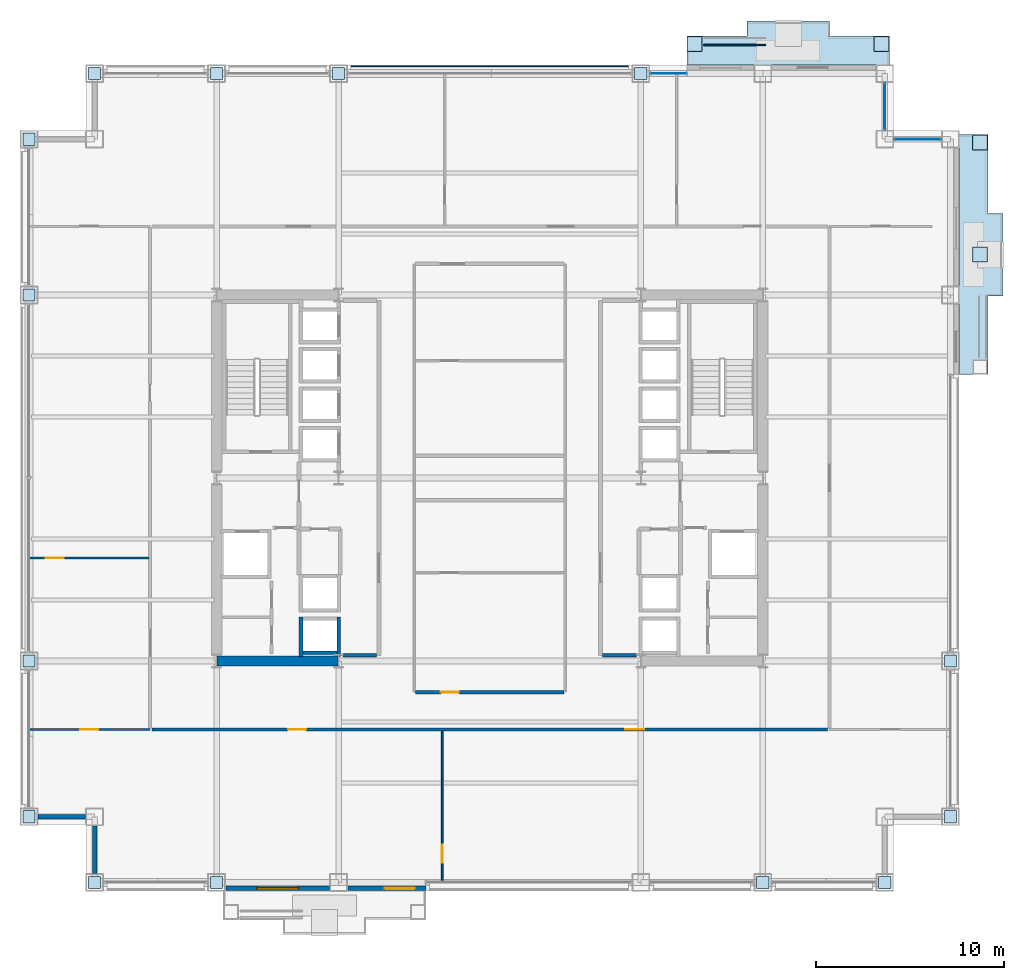
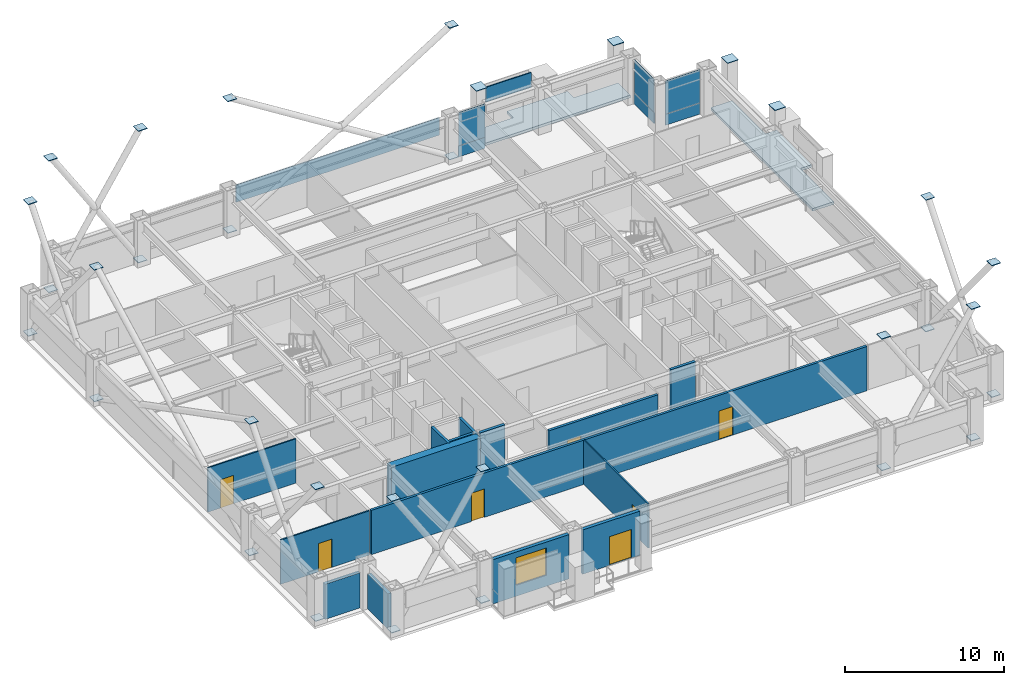
# One storey, part 26 of 33: 40 plates, 15 walls, 7 doors, 2 slabs, 1 window, 8 openings, 3 elements without a shape of their own.
"""IFC4 building model written with IfcOpenShell, lengths in metres."""

import ifcopenshell
import ifcopenshell.guid

model = None  # the IFC model being written
_history = None  # IfcOwnerHistory: only IFC2X3 demands one
_inside = {}  # id of a spatial element -> (the spatial element, [elements in it])
_under = {}  # id of a project, library or spatial element -> (it, [spatial elements below it])
_declared = {}  # id of a project -> (the project, [libraries it declares])
_typed = {}  # id of a type object -> (the type object, [elements of that type])
_made_of = {}  # id of a material, layer set ... -> (it, [elements and type objects made of it])


def new_model(schema):
    """Start an empty IFC model of exactly this schema.

    Asked for "IFC4X3", IfcOpenShell would pick the latest addendum, in which some entities
    have other attributes; the version numbers below select the first issue.
    IFC2X3 requires an IfcOwnerHistory on every rooted entity: one is made here for all.
    """
    global model, _history
    if schema == "IFC4X3":
        model = ifcopenshell.file(schema_version=(4, 3, 0, 0))
    else:
        model = ifcopenshell.file(schema=schema)
    _inside.clear()
    _under.clear()
    _declared.clear()
    _typed.clear()
    _made_of.clear()
    _history = None
    if model.schema == "IFC2X3":
        org = make("IfcOrganization", Name="unknown")
        user = make(
            "IfcPersonAndOrganization",
            ThePerson=make("IfcPerson", FamilyName="unknown"),
            TheOrganization=org,
        )
        app = make(
            "IfcApplication",
            ApplicationDeveloper=org,
            Version="unknown",
            ApplicationFullName="unknown",
            ApplicationIdentifier="unknown",
        )
        _history = make(
            "IfcOwnerHistory",
            OwningUser=user,
            OwningApplication=app,
            ChangeAction="ADDED",
            CreationDate=0,
        )
    return model


def make(cls, **values):
    """One entity of the class cls with the attributes given. An attribute that is None is left unset."""
    return model.create_entity(
        cls, **{name: value for name, value in values.items() if value is not None}
    )


def rooted(cls, **values):
    """An entity with a GlobalId (a new one), such as an element, a storey or a relation."""
    return make(cls, GlobalId=ifcopenshell.guid.new(), OwnerHistory=_history, **values)


def si_unit(unit_type, name, prefix=None):
    """IfcSIUnit, for example si_unit("LENGTHUNIT", "METRE", prefix="MILLI")."""
    return make("IfcSIUnit", UnitType=unit_type, Prefix=prefix, Name=name)


def assignment(units):
    """IfcUnitAssignment: the units of a project."""
    return None if units is None else make("IfcUnitAssignment", Units=units)


def point(xyz):
    """IfcCartesianPoint."""
    return None if xyz is None else make("IfcCartesianPoint", Coordinates=xyz)


def direction(xyz):
    """IfcDirection."""
    return None if xyz is None else make("IfcDirection", DirectionRatios=xyz)


def frame(location, z_axis=None, x_axis=None):
    """IfcAxis2Placement3D, a coordinate frame: its origin and axes. An axis left out is left unset."""
    return make(
        "IfcAxis2Placement3D",
        Location=point(location),
        Axis=direction(z_axis),
        RefDirection=direction(x_axis),
    )


def frame_2d(location, x_axis=None):
    """IfcAxis2Placement2D, a coordinate frame in the plane: its origin and x axis."""
    return make(
        "IfcAxis2Placement2D", Location=point(location), RefDirection=direction(x_axis)
    )


def origin():
    """The frame at (0, 0, 0) with its axes left unset."""
    return frame((0.0, 0.0, 0.0))


def origin_2d():
    """The frame at (0, 0) in the plane with its x axis left unset."""
    return frame_2d((0.0, 0.0))


def place(relative_to, where):
    """IfcLocalPlacement: puts the frame where relative to a parent placement (None: the world)."""
    return make(
        "IfcLocalPlacement", PlacementRelTo=relative_to, RelativePlacement=where
    )


def context(
    kind, dimensions, precision=None, world=None, true_north=None, identifier=None
):
    """IfcGeometricRepresentationContext, for example the 3D "Model" context."""
    return make(
        "IfcGeometricRepresentationContext",
        ContextIdentifier=identifier,
        ContextType=kind,
        CoordinateSpaceDimension=dimensions,
        Precision=precision,
        WorldCoordinateSystem=world,
        TrueNorth=true_north,
    )


def subcontext(parent, identifier, kind, view, scale=None):
    """IfcGeometricRepresentationSubContext, for example "Body" below "Model"."""
    return make(
        "IfcGeometricRepresentationSubContext",
        ContextIdentifier=identifier,
        ContextType=kind,
        ParentContext=parent,
        TargetScale=scale,
        TargetView=view,
    )


def project(units=None, contexts=None):
    """IfcProject with its units and contexts."""
    return rooted(
        "IfcProject",
        Name="project",
        RepresentationContexts=contexts,
        UnitsInContext=assignment(units),
    )


def spatial(cls, under=None, at=None, **own):
    """A site, building, storey or space (cls), placed at a placement, below another one or the project."""
    s = rooted(cls, ObjectPlacement=at, **own)
    if under is not None:
        _under.setdefault(under.id(), (under, []))[1].append(s)
    return s


def polyline(points):
    """IfcPolyline through the points."""
    return make("IfcPolyline", Points=[point(p) for p in points])


def profile(cls, at=None, kind="AREA", **sizes):
    """A parametric profile (cls). Its sizes go by their IFC names, for example OverallWidth=200.0."""
    return make(cls, ProfileType=kind, Position=at, **sizes)


def rectangle(**sizes):
    """IfcRectangleProfileDef."""
    return profile("IfcRectangleProfileDef", **sizes)


def outline(outer, holes=None, kind="AREA"):
    """IfcArbitraryClosedProfileDef: a profile drawn as a closed curve; with holes, ...WithVoids."""
    if holes is None:
        return make("IfcArbitraryClosedProfileDef", ProfileType=kind, OuterCurve=outer)
    return make(
        "IfcArbitraryProfileDefWithVoids",
        ProfileType=kind,
        OuterCurve=outer,
        InnerCurves=holes,
    )


def extrude(swept, where, along, depth):
    """IfcExtrudedAreaSolid: the profile swept, set in the frame where, extruded along a direction by depth."""
    return make(
        "IfcExtrudedAreaSolid",
        SweptArea=swept,
        Position=where,
        ExtrudedDirection=direction(along),
        Depth=depth,
    )


def shape(context_of_items, identifier, shape_type, items):
    """IfcShapeRepresentation: the items that make up one representation, for example the "Body"."""
    return make(
        "IfcShapeRepresentation",
        ContextOfItems=context_of_items,
        RepresentationIdentifier=identifier,
        RepresentationType=shape_type,
        Items=items,
    )


def material(Name=None, Category=None):
    """IfcMaterial."""
    return make("IfcMaterial", Name=Name, Category=Category)


def layer(
    of_material, thickness, ventilated=None, Name=None, Category=None, Priority=None
):
    """IfcMaterialLayer: one layer of a wall or slab, of a material (None: an air gap)."""
    return make(
        "IfcMaterialLayer",
        Material=of_material,
        LayerThickness=thickness,
        IsVentilated=ventilated,
        Name=Name,
        Category=Category,
        Priority=Priority,
    )


def layer_set(layers, Name=None):
    """IfcMaterialLayerSet."""
    return make("IfcMaterialLayerSet", MaterialLayers=layers, LayerSetName=Name)


def made_of(thing, what):
    """Note that an element or type object is made of a material, layer set ...; save() writes the relation."""
    if what is not None:
        _made_of.setdefault(what.id(), (what, []))[1].append(thing)
    return thing


def type_object(cls, material=None, **own):
    """A type object (cls), such as IfcWallType, which elements share."""
    return made_of(rooted(cls, **own), material)


def element(
    cls,
    number,
    at=None,
    inside=None,
    cuts=None,
    type_object=None,
    material=None,
    context=None,
    identifier="Body",
    shape_type=None,
    held_by="IfcProductDefinitionShape",
    body=None,
    shapes=None,
    **own,
):
    """One element of the class cls, such as IfcWall. Its Tag is "e" and its number.

    at: its placement. inside: the storey or other place that contains it. cuts: it is an
    opening in that element (IfcRelVoidsElement). A single representation is given by context,
    identifier, shape_type and body (its items); several are given by shapes. held_by: the class
    of the entity that holds the representations. save() writes the other relations.
    """
    e = rooted(cls, Tag="e%d" % number, ObjectPlacement=at, **own)
    if body is not None:
        shapes = [shape(context, identifier, shape_type, body)]
    if shapes is not None:
        e.Representation = make(held_by, Representations=shapes)
    if inside is not None:
        _inside.setdefault(inside.id(), (inside, []))[1].append(e)
    if cuts is not None:
        rooted(
            "IfcRelVoidsElement", RelatingBuildingElement=cuts, RelatedOpeningElement=e
        )
    if type_object is not None:
        _typed.setdefault(type_object.id(), (type_object, []))[1].append(e)
    return made_of(e, material)


def fill(opening, filler):
    """IfcRelFillsElement: the door or window that sits in an opening."""
    return rooted(
        "IfcRelFillsElement",
        RelatingOpeningElement=opening,
        RelatedBuildingElement=filler,
    )


def aggregate(whole, parts):
    """IfcRelAggregates: a whole, such as a stair, and the parts it consists of."""
    return rooted("IfcRelAggregates", RelatingObject=whole, RelatedObjects=parts)


def save(model, path):
    """Write the relations noted so far, then the file.

    IfcRelAggregates (storeys below a building ...), IfcRelContainedInSpatialStructure (elements
    in a storey), IfcRelDefinesByType, IfcRelAssociatesMaterial and IfcRelDeclares: one each for
    every whole, place, type object, material and project.
    """
    for whole, parts in _under.values():
        aggregate(whole, parts)
    for where, things in _inside.values():
        rooted(
            "IfcRelContainedInSpatialStructure",
            RelatedElements=things,
            RelatingStructure=where,
        )
    for kind, things in _typed.values():
        rooted("IfcRelDefinesByType", RelatedObjects=things, RelatingType=kind)
    for what, things in _made_of.values():
        rooted("IfcRelAssociatesMaterial", RelatedObjects=things, RelatingMaterial=what)
    for by, libraries in _declared.values():
        rooted("IfcRelDeclares", RelatingContext=by, RelatedDefinitions=libraries)
    model.write(path)


model = new_model("IFC4")

# Units and contexts
model_context = context("Model", 3, precision=1e-05, world=origin(), true_north=direction((0.0, 1.0)))
body_context = subcontext(model_context, "Body", "Model", "MODEL_VIEW")
ifc_project = project(units=[si_unit("LENGTHUNIT", "METRE"), si_unit("AREAUNIT", "SQUARE_METRE"), si_unit("VOLUMEUNIT", "CUBIC_METRE"), si_unit("PLANEANGLEUNIT", "RADIAN"), si_unit("MASSUNIT", "GRAM", prefix="KILO")], contexts=[model_context])

# Site, building, storey
site_placement = place(None, origin())
site = spatial("IfcSite", under=ifc_project, at=site_placement, CompositionType="ELEMENT")
building_placement = place(site_placement, origin())
building = spatial("IfcBuilding", under=site, at=building_placement, Name="Brelmoor Portico Tower", CompositionType="ELEMENT")
storey_placement = place(building_placement, frame((0.0, 0.0, 34.800048828125)))
storey = spatial("IfcBuildingStorey", under=building, at=storey_placement, Name="L08", CompositionType="ELEMENT", Elevation=34.800048828125)

# Plates
ifc_material_1 = material(Name="Steel Q355B", Category="steel")
ifc_layer_1 = layer(ifc_material_1, 0.044921875)
ifc_layer_set_1 = layer_set([ifc_layer_1], Name="Steel Q355B")
plate_type_1 = type_object("IfcPlateType", Name="PT-CAP-650", PredefinedType="SHEET", material=ifc_layer_set_1)
for number, where, z_axis, x_axis, name in (
    (1, (10.919921875, 23.1298828125, 3.599853515625), (0.0, 0.0, 1.0), (1.0, 0.0, 0.0), "L08 Proud Picture-Frame Pier PFJ-N1 Welded Head Cap Plate"),
    (2, (20.8798828125, 23.1298828125, 3.599853515625), (0.0, 0.0, 1.0), (1.0, 0.0, 0.0), "L08 Proud Picture-Frame Pier PFJ-N2 Welded Head Cap Plate"),
    (3, (26.1298828125, 17.8798828125, 3.599853515625), (0.0, 0.0, 1.0), (0.0, 1.0, 0.0), "L08 Proud Picture-Frame Pier PFJ-E2 Welded Head Cap Plate"),
    (4, (26.1298828125, 11.89990234375, 3.599853515625), (0.0, 0.0, 1.0), (0.0, 1.0, 0.0), "L08 Proud Picture-Frame Pier PFJ-E3 Welded Head Cap Plate"),
):
    element("IfcPlate", number, at=place(storey_placement, frame(where, z_axis=z_axis, x_axis=x_axis)), inside=storey, type_object=plate_type_1, Name=name, PredefinedType="SHEET", context=body_context, shape_type="SweptSolid", body=[
        extrude(rectangle(XDim=0.7900390625, YDim=0.7900390625, at=origin_2d()), origin(), (0.0, 0.0, 1.0), 0.0400390625),
    ])
for number, where, z_axis, x_axis, name in (
    (5, (-21.050048828125, -21.550048828125, 0.2275390625), (0.0, 0.0, 1.0), (1.0, 0.0, 0.0), "L08 Continuous Mega-X Brace 009A Joint Cap Plate 1"),
    (6, (-14.550048828125, -21.550048828125, 10.327392578125), (0.0, 0.0, 1.0), (1.0, 0.0, 0.0), "L08 Continuous Mega-X Brace 009A Joint Cap Plate 2"),
    (7, (-14.550048828125, -21.550048828125, 0.2275390625), (0.0, 0.0, 1.0), (1.0, 0.0, 0.0), "L08 Split Mega-X Brace 009B1 Joint Cap Plate 1"),
    (8, (-21.050048828125, -21.550048828125, 10.327392578125), (0.0, 0.0, 1.0), (1.0, 0.0, 0.0), "L08 Split Mega-X Brace 009B2 Joint Cap Plate 2"),
    (9, (14.550048828125, -21.550048828125, 0.2275390625), (0.0, 0.0, 1.0), (1.0, 0.0, 0.0), "L08 Continuous Mega-X Brace 010A Joint Cap Plate 1"),
    (10, (21.050048828125, -21.550048828125, 10.327392578125), (0.0, 0.0, 1.0), (1.0, 0.0, 0.0), "L08 Continuous Mega-X Brace 010A Joint Cap Plate 2"),
    (11, (21.050048828125, -21.550048828125, 0.2275390625), (0.0, 0.0, 1.0), (1.0, 0.0, 0.0), "L08 Split Mega-X Brace 010B1 Joint Cap Plate 1"),
    (12, (14.550048828125, -21.550048828125, 10.327392578125), (0.0, 0.0, 1.0), (1.0, 0.0, 0.0), "L08 Split Mega-X Brace 010B2 Joint Cap Plate 2"),
    (13, (-21.050048828125, 21.550048828125, 0.2275390625), (0.0, 0.0, 1.0), (1.0, 0.0, 0.0), "L08 Continuous Mega-X Brace 011A Joint Cap Plate 1"),
    (14, (-14.550048828125, 21.550048828125, 10.327392578125), (0.0, 0.0, 1.0), (1.0, 0.0, 0.0), "L08 Continuous Mega-X Brace 011A Joint Cap Plate 2"),
    (15, (-14.550048828125, 21.550048828125, 0.2275390625), (0.0, 0.0, 1.0), (1.0, 0.0, 0.0), "L08 Split Mega-X Brace 011B1 Joint Cap Plate 1"),
    (16, (-21.050048828125, 21.550048828125, 10.327392578125), (0.0, 0.0, 1.0), (1.0, 0.0, 0.0), "L08 Split Mega-X Brace 011B2 Joint Cap Plate 2"),
    (17, (-8.050048828125, 21.550048828125, 0.2275390625), (0.0, 0.0, 1.0), (1.0, 0.0, 0.0), "L08 Continuous Mega-X Brace 012A Joint Cap Plate 1"),
    (18, (8.050048828125, 21.550048828125, 10.327392578125), (0.0, 0.0, 1.0), (1.0, 0.0, 0.0), "L08 Continuous Mega-X Brace 012A Joint Cap Plate 2"),
    (19, (8.050048828125, 21.550048828125, 0.2275390625), (0.0, 0.0, 1.0), (1.0, 0.0, 0.0), "L08 Split Mega-X Brace 012B1 Joint Cap Plate 1"),
    (20, (-8.050048828125, 21.550048828125, 10.327392578125), (0.0, 0.0, 1.0), (1.0, 0.0, 0.0), "L08 Split Mega-X Brace 012B2 Joint Cap Plate 2"),
    (21, (-24.550048828125, -18.050048828125, 0.2275390625), (0.0, 0.0, 1.0), (1.0, 0.0, 0.0), "L08 Continuous Mega-X Brace 013A Joint Cap Plate 1"),
    (22, (-24.550048828125, -9.75, 10.327392578125), (0.0, 0.0, 1.0), (1.0, 0.0, 0.0), "L08 Continuous Mega-X Brace 013A Joint Cap Plate 2"),
    (23, (-24.550048828125, -9.75, 0.2275390625), (0.0, 0.0, 1.0), (1.0, 0.0, 0.0), "L08 Split Mega-X Brace 013B1 Joint Cap Plate 1"),
    (24, (-24.550048828125, -18.050048828125, 10.327392578125), (0.0, 0.0, 1.0), (1.0, 0.0, 0.0), "L08 Split Mega-X Brace 013B2 Joint Cap Plate 2"),
    (25, (-24.550048828125, 9.75, 10.327392578125), (0.0, 0.0, 1.0), (1.0, 0.0, 0.0), "L08 Continuous Mega-X Brace 014A Joint Cap Plate 2"),
    (26, (-24.550048828125, 9.75, 0.2275390625), (0.0, 0.0, 1.0), (1.0, 0.0, 0.0), "L08 Split Mega-X Brace 014B1 Joint Cap Plate 1"),
    (27, (-24.550048828125, 18.050048828125, 10.327392578125), (0.0, 0.0, 1.0), (1.0, 0.0, 0.0), "L08 Continuous Mega-X Brace 015A Joint Cap Plate 2"),
    (28, (-24.550048828125, 18.050048828125, 0.2275390625), (0.0, 0.0, 1.0), (1.0, 0.0, 0.0), "L08 Split Mega-X Brace 015B1 Joint Cap Plate 1"),
    (29, (24.550048828125, -18.050048828125, 0.2275390625), (0.0, 0.0, 1.0), (1.0, 0.0, 0.0), "L08 Continuous Mega-X Brace 016A Joint Cap Plate 1"),
    (30, (24.550048828125, -9.75, 10.327392578125), (0.0, 0.0, 1.0), (1.0, 0.0, 0.0), "L08 Continuous Mega-X Brace 016A Joint Cap Plate 2"),
    (31, (24.550048828125, -9.75, 0.2275390625), (0.0, 0.0, 1.0), (1.0, 0.0, 0.0), "L08 Split Mega-X Brace 016B1 Joint Cap Plate 1"),
    (32, (24.550048828125, -18.050048828125, 10.327392578125), (0.0, 0.0, 1.0), (1.0, 0.0, 0.0), "L08 Split Mega-X Brace 016B2 Joint Cap Plate 2"),
):
    element("IfcPlate", number, at=place(storey_placement, frame(where, z_axis=z_axis, x_axis=x_axis)), inside=storey, type_object=plate_type_1, Name=name, PredefinedType="SHEET", context=body_context, shape_type="SweptSolid", body=[
        extrude(rectangle(XDim=0.64990234375, YDim=0.64990234375, at=origin_2d()), origin(), (0.0, 0.0, 1.0), 0.044921875),
    ])

# Curtain wall, plate
ifc_material_2 = material(Name="Anodised Aluminium Alloy 6063-T6", Category="aluminium")
ifc_layer_2 = layer(ifc_material_2, 0.179931640625)
ifc_layer_set_2 = layer_set([ifc_layer_2], Name="Anodised Aluminium Alloy 6063-T6")
curtain_wall_type_1 = type_object("IfcCurtainWallType", Name="CW-TOWER-Z1", PredefinedType="NOTDEFINED", material=ifc_layer_set_2)
curtain_wall_1_placement = place(storey_placement, origin())
curtain_wall_1 = element("IfcCurtainWall", 33, at=curtain_wall_1_placement, inside=storey, type_object=curtain_wall_type_1, Name="L08 Curtain Wall CW-L08-2L-4", PredefinedType="NOTDEFINED")
ifc_material_3 = material(Name="Double-Silver Low-E Insulated Glazing", Category="glass")
ifc_layer_3 = layer(ifc_material_3, 0.035888671875)
ifc_layer_set_3 = layer_set([ifc_layer_3], Name="Double-Silver Low-E Insulated Glazing")
plate_type_2 = type_object("IfcPlateType", Name="PT-CW-GLASS", PredefinedType="CURTAIN_PANEL", material=ifc_layer_set_3)
plate_1_placement = place(storey_placement, frame((9.517578125, 21.550048828125, 0.85009765625), z_axis=(0.0, 0.0, 1.0), x_axis=(1.0, 0.0, 0.0)))
plate_1 = element("IfcPlate", 34, at=plate_1_placement, type_object=plate_type_2, Name="CW-L08-2L-4 Vision Glass Panel 00", PredefinedType="CURTAIN_PANEL", context=body_context, shape_type="SweptSolid", body=[
    extrude(rectangle(XDim=1.93505859375, YDim=0.035888671875, at=origin_2d()), origin(), (0.0, 0.0, 1.0), 2.550048828125),
])

ifc_layer_4 = layer(ifc_material_2, 0.179931640625)
ifc_layer_set_4 = layer_set([ifc_layer_4], Name="Anodised Aluminium Alloy 6063-T6")
curtain_wall_type_2 = type_object("IfcCurtainWallType", Name="CW-NOTCH-CHAMFER", PredefinedType="NOTDEFINED", material=ifc_layer_set_4)
curtain_wall_2_placement = place(storey_placement, origin())
curtain_wall_2 = element("IfcCurtainWall", 35, at=curtain_wall_2_placement, inside=storey, type_object=curtain_wall_type_2, Name="L08 Curtain Wall CWN-L08-NEH", PredefinedType="NOTDEFINED")
plate_2_placement = place(storey_placement, frame((22.800048828125, 18.050048828125, 0.85009765625), z_axis=(0.0, 0.0, 1.0), x_axis=(1.0, 0.0, 0.0)))
plate_2 = element("IfcPlate", 36, at=plate_2_placement, type_object=plate_type_2, Name="CWN-L08-NEH Vision Glass Panel 00", PredefinedType="CURTAIN_PANEL", context=body_context, shape_type="SweptSolid", body=[
    extrude(rectangle(XDim=2.5, YDim=0.035888671875, at=origin_2d()), origin(), (0.0, 0.0, 1.0), 2.550048828125),
])

curtain_wall_3_placement = place(storey_placement, origin())
curtain_wall_3 = element("IfcCurtainWall", 37, at=curtain_wall_3_placement, inside=storey, type_object=curtain_wall_type_2, Name="L08 Curtain Wall CWN-L08-NEV", PredefinedType="NOTDEFINED")
plate_3_placement = place(storey_placement, frame((21.050048828125, 19.800048828125, 0.85009765625), z_axis=(0.0, 0.0, 1.0), x_axis=(0.0, 1.0, 0.0)))
plate_3 = element("IfcPlate", 38, at=plate_3_placement, type_object=plate_type_2, Name="CWN-L08-NEV Vision Glass Panel 00", PredefinedType="CURTAIN_PANEL", context=body_context, shape_type="SweptSolid", body=[
    extrude(rectangle(XDim=2.5, YDim=0.035888671875, at=origin_2d()), origin(), (0.0, 0.0, 1.0), 2.550048828125),
])

# Plate
ifc_material_4 = material(Name="Pale Champagne Anodised Aluminium Panel", Category="aluminium")
ifc_layer_5 = layer(ifc_material_4, 0.050048828125)
ifc_layer_set_5 = layer_set([ifc_layer_5], Name="Pale Champagne Anodised Aluminium Panel")
plate_type_3 = type_object("IfcPlateType", Name="PT-CW-SPANDREL", PredefinedType="SHEET", material=ifc_layer_set_5)
plate_4_placement = place(storey_placement, frame((9.517578125, 21.550048828125, 0.0), z_axis=(0.0, 0.0, 1.0), x_axis=(1.0, 0.0, 0.0)))
plate_4 = element("IfcPlate", 39, at=plate_4_placement, type_object=plate_type_3, Name="CW-L08-2L-4 Spandrel Panel 00", PredefinedType="SHEET", context=body_context, shape_type="SweptSolid", body=[
    extrude(rectangle(XDim=1.93505859375, YDim=0.050048828125, at=origin_2d()), origin(), (0.0, 0.0, 1.0), 0.85009765625),
])

aggregate(curtain_wall_1, [plate_4, plate_1])

plate_5_placement = place(storey_placement, frame((22.800048828125, 18.050048828125, 0.0), z_axis=(0.0, 0.0, 1.0), x_axis=(1.0, 0.0, 0.0)))
plate_5 = element("IfcPlate", 40, at=plate_5_placement, type_object=plate_type_3, Name="CWN-L08-NEH Spandrel Panel 00", PredefinedType="SHEET", context=body_context, shape_type="SweptSolid", body=[
    extrude(rectangle(XDim=2.5, YDim=0.050048828125, at=origin_2d()), origin(), (0.0, 0.0, 1.0), 0.85009765625),
])

aggregate(curtain_wall_2, [plate_5, plate_2])

plate_6_placement = place(storey_placement, frame((21.050048828125, 19.800048828125, 0.0), z_axis=(0.0, 0.0, 1.0), x_axis=(0.0, 1.0, 0.0)))
plate_6 = element("IfcPlate", 41, at=plate_6_placement, type_object=plate_type_3, Name="CWN-L08-NEV Spandrel Panel 00", PredefinedType="SHEET", context=body_context, shape_type="SweptSolid", body=[
    extrude(rectangle(XDim=2.5, YDim=0.050048828125, at=origin_2d()), origin(), (0.0, 0.0, 1.0), 0.85009765625),
])

aggregate(curtain_wall_3, [plate_6, plate_3])

# Plates
ifc_material_5 = material(Name="Powder-Coated Aluminium Shuttered Jalousie Louvre", Category="aluminium")
ifc_layer_6 = layer(ifc_material_5, 0.06005859375)
ifc_layer_set_6 = layer_set([ifc_layer_6], Name="Powder-Coated Aluminium Shuttered Jalousie Louvre")
plate_type_4 = type_object("IfcPlateType", Name="PT-JALOUSIE-SHUTTER", PredefinedType="SHEET", material=ifc_layer_set_6)
plate_7_placement = place(storey_placement, frame((0.0, 21.929931640625, 1.8740234375), z_axis=(0.0, 0.0, 1.0), x_axis=(1.0, 0.0, 0.0)))
element("IfcPlate", 42, at=plate_7_placement, inside=storey, type_object=plate_type_4, Name="CW-L08-2L-3 Perforated Jalousie Solar Screen", PredefinedType="SHEET", context=body_context, shape_type="SweptSolid", body=[
    extrude(rectangle(XDim=14.77001953125, YDim=0.06494140625, at=origin_2d()), origin(), (0.0, 0.0, 1.0), 1.325927734375),
])
plate_8_placement = place(storey_placement, frame((13.050048828125, 23.080078125, 2.27490234375), z_axis=(0.0, 0.0, 1.0), x_axis=(1.0, 0.0, 0.0)))
element("IfcPlate", 43, at=plate_8_placement, inside=storey, type_object=plate_type_4, Name="L08 Shuttered Veranda Screen N", PredefinedType="SHEET", context=body_context, shape_type="SweptSolid", body=[
    extrude(rectangle(XDim=3.300048828125, YDim=0.080078125, at=origin_2d()), origin(), (0.0, 0.0, 1.0), 1.14990234375),
])

# Slabs
ifc_material_6 = material(Name="Concrete C40", Category="concrete")
ifc_layer_7 = layer(ifc_material_6, 0.199951171875)
ifc_layer_set_7 = layer_set([ifc_layer_7], Name="Concrete C40")
slab_type = type_object("IfcSlabType", Name="SL-BALCONY-200", PredefinedType="FLOOR", material=ifc_layer_set_7)
slab_1_placement = place(storey_placement, frame((0.0, 0.0, -0.199951171875)))
element("IfcSlab", 44, at=slab_1_placement, inside=storey, type_object=slab_type, Name="L08 Loggia Tree Balcony Slab N", PredefinedType="FLOOR", context=body_context, shape_type="SweptSolid", body=[
    extrude(outline(polyline([(10.5, 22.0), (21.300048828125, 22.0), (21.300048828125, 23.550048828125), (18.10009765625, 23.550048828125), (18.10009765625, 24.35009765625), (13.699951171875, 24.35009765625), (13.699951171875, 23.550048828125), (10.5, 23.550048828125), (10.5, 22.0)])), origin(), (0.0, 0.0, 1.0), 0.199951171875),
])
slab_2_placement = place(storey_placement, frame((0.0, 0.0, -0.199951171875)))
element("IfcSlab", 45, at=slab_2_placement, inside=storey, type_object=slab_type, Name="L08 Loggia Tree Balcony Slab E", PredefinedType="FLOOR", context=body_context, shape_type="SweptSolid", body=[
    extrude(outline(polyline([(25.0, 5.5), (26.550048828125, 5.5), (26.550048828125, 9.699951171875), (27.35009765625, 9.699951171875), (27.35009765625, 14.10009765625), (26.550048828125, 14.10009765625), (26.550048828125, 18.300048828125), (25.0, 18.300048828125), (25.0, 5.5)])), origin(), (0.0, 0.0, 1.0), 0.199951171875),
])

# Wall
ifc_material_7 = material(Name="Concrete C60", Category="concrete")
ifc_layer_8 = layer(ifc_material_7, 0.550048828125)
ifc_layer_set_8 = layer_set([ifc_layer_8], Name="Concrete C60")
wall_type_1 = type_object("IfcWallType", Name="WL-CORE-550", PredefinedType="SHEAR", material=ifc_layer_set_8)
wall_1_placement = place(storey_placement, frame((-14.530029296875, -9.75, -0.199951171875), z_axis=(0.0, 0.0, 1.0), x_axis=(1.0, 0.0, 0.0)))
element("IfcWall", 46, at=wall_1_placement, inside=storey, type_object=wall_type_1, Name="L08 WC South Shear Wall", PredefinedType="SHEAR", context=body_context, shape_type="SweptSolid", body=[
    extrude(rectangle(XDim=6.4599609375, YDim=0.550048828125, at=frame_2d((3.22998046875, 0.0))), origin(), (0.0, 0.0, 1.0), 3.599853515625),
])

# Wall, opening, window
ifc_material_8 = material(Name="Precast Concrete C40 Insulated Facade Wall", Category="concrete")
ifc_layer_9 = layer(ifc_material_8, 0.25)
ifc_layer_set_9 = layer_set([ifc_layer_9], Name="Precast Concrete C40 Insulated Facade Wall")
wall_type_2 = type_object("IfcWallType", Name="WL-EXT-250", PredefinedType="STANDARD", material=ifc_layer_set_9)
wall_2_placement = place(storey_placement, frame((-14.054931640625, -21.860107421875, 0.0), z_axis=(0.0, 0.0, 1.0), x_axis=(1.0, 0.0, 0.0)))
wall_2 = element("IfcWall", 47, at=wall_2_placement, inside=storey, type_object=wall_type_2, Name="L08 Loggia Threshold Wall S-1", PredefinedType="STANDARD", context=body_context, shape_type="SweptSolid", body=[
    extrude(rectangle(XDim=5.510009765625, YDim=0.25, at=frame_2d((2.7548828125, 0.0))), origin(), (0.0, 0.0, 1.0), 3.39990234375),
])
opening_1_placement = place(wall_2_placement, frame((1.655029296875, 0.0, 0.85009765625)))
opening_1 = element("IfcOpeningElement", 48, at=opening_1_placement, cuts=wall_2, Name="Opening W-03B", PredefinedType="OPENING", context=body_context, shape_type="SweptSolid", body=[
    extrude(rectangle(XDim=2.199951171875, YDim=2.10009765625, at=frame_2d((1.10009765625, 1.050048828125))), frame((0.0, 0.135009765625, 0.0), z_axis=(0.0, -1.0, 0.0), x_axis=(1.0, 0.0, 0.0)), (0.0, 0.0, 1.0), 0.27001953125),
])
ifc_material_9 = material(Name="Thermally Broken Aluminium Low-E Window", Category="aluminium")
window_type = type_object("IfcWindowType", Name="WN-LOGGIA-2200x2100", PartitioningType="SINGLE_PANEL", PredefinedType="WINDOW", material=ifc_material_9)
window_placement = place(opening_1_placement, origin())
window = element("IfcWindow", 49, at=window_placement, inside=storey, type_object=window_type, Name="L08 Loggia Window S", OverallHeight=2.10009765625, OverallWidth=2.199951171875, PartitioningType="SINGLE_PANEL", PredefinedType="WINDOW", context=body_context, shape_type="SweptSolid", body=[
    extrude(rectangle(XDim=2.199951171875, YDim=2.10009765625, at=frame_2d((1.10009765625, 1.050048828125))), frame((0.0, 0.030029296875, 0.0), z_axis=(0.0, -1.0, 0.0), x_axis=(1.0, 0.0, 0.0)), (0.0, 0.0, 1.0), 0.06005859375),
])
fill(opening_1, window)

# Wall, opening, door
wall_3_placement = place(storey_placement, frame((-7.554931640625, -21.860107421875, 0.0), z_axis=(0.0, 0.0, 1.0), x_axis=(1.0, 0.0, 0.0)))
wall_3 = element("IfcWall", 50, at=wall_3_placement, inside=storey, type_object=wall_type_2, Name="L08 Loggia Threshold Wall S-2", PredefinedType="STANDARD", context=body_context, shape_type="SweptSolid", body=[
    extrude(rectangle(XDim=4.155029296875, YDim=0.25, at=frame_2d((2.07763671875, 0.0))), origin(), (0.0, 0.0, 1.0), 3.39990234375),
])
opening_2_placement = place(wall_3_placement, frame((1.955078125, 0.0, 0.0)))
opening_2 = element("IfcOpeningElement", 51, at=opening_2_placement, cuts=wall_3, Name="Opening D-TB1", PredefinedType="OPENING", context=body_context, shape_type="SweptSolid", body=[
    extrude(rectangle(XDim=1.60009765625, YDim=2.199951171875, at=frame_2d((0.800048828125, 1.10009765625))), frame((0.0, 0.135009765625, 0.0), z_axis=(0.0, -1.0, 0.0), x_axis=(1.0, 0.0, 0.0)), (0.0, 0.0, 1.0), 0.27001953125),
])
ifc_material_10 = material(Name="Double-Leaf Thermally Broken Terrace Door", Category="aluminium")
door_type_1 = type_object("IfcDoorType", Name="DR-BALCONY-1600", OperationType="NOTDEFINED", PredefinedType="DOOR", material=ifc_material_10)
door_1_placement = place(opening_2_placement, origin())
door_1 = element("IfcDoor", 52, at=door_1_placement, inside=storey, type_object=door_type_1, Name="D-0380 L08 Tree Balcony Double Door S", OperationType="DOUBLE_DOOR_SINGLE_SWING", OverallHeight=2.199951171875, OverallWidth=1.60009765625, PredefinedType="DOOR", context=body_context, shape_type="SweptSolid", body=[
    extrude(rectangle(XDim=1.60009765625, YDim=2.199951171875, at=frame_2d((0.800048828125, 1.10009765625))), frame((0.0, 0.02490234375, 0.0), z_axis=(0.0, -1.0, 0.0), x_axis=(1.0, 0.0, 0.0)), (0.0, 0.0, 1.0), 0.050048828125),
])
fill(opening_2, door_1)

# Walls
for number, where, z_axis, x_axis, name in (
    (53, (-24.06494140625, -18.050048828125, 0.0), (0.0, 0.0, 1.0), (1.0, 0.0, 0.0), "L08 Corner Notch Facade Wall NSWH1"),
    (54, (-21.050048828125, -21.06494140625, 0.0), (0.0, 0.0, 1.0), (0.0, 1.0, 0.0), "L08 Corner Notch Facade Wall NSWV1"),
):
    element("IfcWall", number, at=place(storey_placement, frame(where, z_axis=z_axis, x_axis=x_axis)), inside=storey, type_object=wall_type_2, Name=name, PredefinedType="STANDARD", context=body_context, shape_type="SweptSolid", body=[
        extrude(rectangle(XDim=2.530029296875, YDim=0.25, at=frame_2d((1.26513671875, 0.0))), origin(), (0.0, 0.0, 1.0), 2.699951171875),
    ])

# Wall, opening, door
ifc_material_11 = material(Name="Demountable Glazed Office Partition", Category="aluminium")
ifc_layer_10 = layer(ifc_material_11, 0.10009765625)
ifc_layer_set_10 = layer_set([ifc_layer_10], Name="Demountable Glazed Office Partition")
wall_type_3 = type_object("IfcWallType", Name="WL-PART-100", PredefinedType="PARTITIONING", material=ifc_layer_set_10)
wall_4_placement = place(storey_placement, frame((-2.530029296875, -21.56005859375, 0.0), z_axis=(0.0, 0.0, 1.0), x_axis=(0.0, 1.0, 0.0)))
wall_4 = element("IfcWall", 55, at=wall_4_placement, inside=storey, type_object=wall_type_3, Name="L08 South Suite Partition 1", PredefinedType="PARTITIONING", context=body_context, shape_type="SweptSolid", body=[
    extrude(rectangle(XDim=8.10009765625, YDim=0.10009765625, at=frame_2d((4.050048828125, 0.0))), origin(), (0.0, 0.0, 1.0), 3.39990234375),
])
opening_3_placement = place(wall_4_placement, frame((1.050048828125, 0.0, 0.0)))
opening_3 = element("IfcOpeningElement", 56, at=opening_3_placement, cuts=wall_4, Name="Opening D-IN2", PredefinedType="OPENING", context=body_context, shape_type="SweptSolid", body=[
    extrude(rectangle(XDim=0.9599609375, YDim=2.179931640625, at=frame_2d((0.47998046875, 1.08984375))), frame((0.0, 0.06005859375, 0.0), z_axis=(0.0, -1.0, 0.0), x_axis=(1.0, 0.0, 0.0)), (0.0, 0.0, 1.0), 0.1201171875),
])
ifc_material_12 = material(Name="Lacquered Timber Suite Door", Category="wood")
door_type_2 = type_object("IfcDoorType", Name="DR-INT-950", OperationType="NOTDEFINED", PredefinedType="DOOR", material=ifc_material_12)
door_2_placement = place(opening_3_placement, origin())
door_2 = element("IfcDoor", 57, at=door_2_placement, inside=storey, type_object=door_type_2, Name="D-0373 L08 South Suite Connecting Door 1", OperationType="SINGLE_SWING_LEFT", OverallHeight=2.179931640625, OverallWidth=0.9599609375, PredefinedType="DOOR", context=body_context, shape_type="SweptSolid", body=[
    extrude(rectangle(XDim=0.9599609375, YDim=2.179931640625, at=frame_2d((0.47998046875, 1.08984375))), frame((0.0, 0.02490234375, 0.0), z_axis=(0.0, -1.0, 0.0), x_axis=(1.0, 0.0, 0.0)), (0.0, 0.0, 1.0), 0.050048828125),
])
fill(opening_3, door_2)

wall_5_placement = place(storey_placement, frame((-24.56005859375, -13.39990234375, 0.0), z_axis=(0.0, 0.0, 1.0), x_axis=(1.0, 0.0, 0.0)))
wall_5 = element("IfcWall", 58, at=wall_5_placement, inside=storey, type_object=wall_type_3, Name="L08 South Outer Closure WL", PredefinedType="PARTITIONING", context=body_context, shape_type="SweptSolid", body=[
    extrude(rectangle(XDim=6.4599609375, YDim=0.10009765625, at=frame_2d((3.22998046875, 0.0))), origin(), (0.0, 0.0, 1.0), 3.39990234375),
])
opening_4_placement = place(wall_5_placement, frame((2.75, 0.0, 0.0)))
opening_4 = element("IfcOpeningElement", 59, at=opening_4_placement, cuts=wall_5, Name="Opening D-IN2", PredefinedType="OPENING", context=body_context, shape_type="SweptSolid", body=[
    extrude(rectangle(XDim=0.9599609375, YDim=2.179931640625, at=frame_2d((0.47998046875, 1.08984375))), frame((0.0, 0.06005859375, 0.0), z_axis=(0.0, -1.0, 0.0), x_axis=(1.0, 0.0, 0.0)), (0.0, 0.0, 1.0), 0.1201171875),
])
door_3_placement = place(opening_4_placement, origin())
door_3 = element("IfcDoor", 60, at=door_3_placement, inside=storey, type_object=door_type_2, Name="D-0377 L08 WL South Corner Suite Door", OperationType="SINGLE_SWING_RIGHT", OverallHeight=2.179931640625, OverallWidth=0.9599609375, PredefinedType="DOOR", context=body_context, shape_type="SweptSolid", body=[
    extrude(rectangle(XDim=0.9599609375, YDim=2.179931640625, at=frame_2d((0.47998046875, 1.08984375))), frame((0.0, 0.02490234375, 0.0), z_axis=(0.0, -1.0, 0.0), x_axis=(1.0, 0.0, 0.0)), (0.0, 0.0, 1.0), 0.050048828125),
])
fill(opening_4, door_3)

wall_6_placement = place(storey_placement, frame((-24.56005859375, -4.262451171875, 0.0), z_axis=(0.0, 0.0, 1.0), x_axis=(1.0, 0.0, 0.0)))
wall_6 = element("IfcWall", 61, at=wall_6_placement, inside=storey, type_object=wall_type_3, Name="L08 W Wing Partition 1", PredefinedType="PARTITIONING", context=body_context, shape_type="SweptSolid", body=[
    extrude(rectangle(XDim=6.400146484375, YDim=0.10009765625, at=frame_2d((3.2001953125, 0.0))), origin(), (0.0, 0.0, 1.0), 3.39990234375),
])
opening_5_placement = place(wall_6_placement, frame((0.89990234375, 0.0, 0.0)))
opening_5 = element("IfcOpeningElement", 62, at=opening_5_placement, cuts=wall_6, Name="Opening D-IN2", PredefinedType="OPENING", context=body_context, shape_type="SweptSolid", body=[
    extrude(rectangle(XDim=0.9599609375, YDim=2.179931640625, at=frame_2d((0.47998046875, 1.08984375))), frame((0.0, 0.06005859375, 0.0), z_axis=(0.0, -1.0, 0.0), x_axis=(1.0, 0.0, 0.0)), (0.0, 0.0, 1.0), 0.1201171875),
])
door_4_placement = place(opening_5_placement, origin())
door_4 = element("IfcDoor", 63, at=door_4_placement, inside=storey, type_object=door_type_2, Name="D-0384 L08 W Wing Suite Connecting Door 1", OperationType="SINGLE_SWING_RIGHT", OverallHeight=2.179931640625, OverallWidth=0.9599609375, PredefinedType="DOOR", context=body_context, shape_type="SweptSolid", body=[
    extrude(rectangle(XDim=0.9599609375, YDim=2.179931640625, at=frame_2d((0.47998046875, 1.08984375))), frame((0.0, 0.02490234375, 0.0), z_axis=(0.0, -1.0, 0.0), x_axis=(1.0, 0.0, 0.0)), (0.0, 0.0, 1.0), 0.050048828125),
])
fill(opening_5, door_4)

ifc_material_13 = material(Name="Acoustic Corridor Fire Partition", Category="gypsum")
ifc_layer_11 = layer(ifc_material_13, 0.179931640625)
ifc_layer_set_11 = layer_set([ifc_layer_11], Name="Acoustic Corridor Fire Partition")
wall_type_4 = type_object("IfcWallType", Name="WL-PART-180", PredefinedType="PARTITIONING", material=ifc_layer_set_11)
wall_7_placement = place(storey_placement, frame((-3.949951171875, -11.419921875, 0.0), z_axis=(0.0, 0.0, 1.0), x_axis=(1.0, 0.0, 0.0)))
wall_7 = element("IfcWall", 64, at=wall_7_placement, inside=storey, type_object=wall_type_4, Name="L08 Central Pantry Corridor Wall", PredefinedType="PARTITIONING", context=body_context, shape_type="SweptSolid", body=[
    extrude(rectangle(XDim=7.89990234375, YDim=0.179931640625, at=frame_2d((3.949951171875, 0.0))), origin(), (0.0, 0.0, 1.0), 3.39990234375),
])
opening_6_placement = place(wall_7_placement, frame((1.35009765625, 0.0, 0.0)))
opening_6 = element("IfcOpeningElement", 65, at=opening_6_placement, cuts=wall_7, Name="Opening D-IN2", PredefinedType="OPENING", context=body_context, shape_type="SweptSolid", body=[
    extrude(rectangle(XDim=0.9599609375, YDim=2.179931640625, at=frame_2d((0.47998046875, 1.08984375))), frame((0.0, 0.099853515625, 0.0), z_axis=(0.0, -1.0, 0.0), x_axis=(1.0, 0.0, 0.0)), (0.0, 0.0, 1.0), 0.199951171875),
])
door_5_placement = place(opening_6_placement, origin())
door_5 = element("IfcDoor", 66, at=door_5_placement, inside=storey, type_object=door_type_2, Name="D-0350 L08 Staff Pantry Door", OperationType="SINGLE_SWING_RIGHT", OverallHeight=2.179931640625, OverallWidth=0.9599609375, PredefinedType="DOOR", context=body_context, shape_type="SweptSolid", body=[
    extrude(rectangle(XDim=0.9599609375, YDim=2.179931640625, at=frame_2d((0.47998046875, 1.08984375))), frame((0.0, 0.02490234375, 0.0), z_axis=(0.0, -1.0, 0.0), x_axis=(1.0, 0.0, 0.0)), (0.0, 0.0, 1.0), 0.050048828125),
])
fill(opening_6, door_5)

# Wall, openings, doors
wall_8_placement = place(storey_placement, frame((-18.0, -13.39990234375, 0.0), z_axis=(0.0, 0.0, 1.0), x_axis=(1.0, 0.0, 0.0)))
wall_8 = element("IfcWall", 67, at=wall_8_placement, inside=storey, type_object=wall_type_4, Name="L08 South Corridor Partition", PredefinedType="PARTITIONING", context=body_context, shape_type="SweptSolid", body=[
    extrude(rectangle(XDim=36.0, YDim=0.179931640625, at=frame_2d((18.0, 0.0))), origin(), (0.0, 0.0, 1.0), 3.39990234375),
])
opening_7_placement = place(wall_8_placement, frame((7.2548828125, 0.0, 0.0)))
opening_7 = element("IfcOpeningElement", 68, at=opening_7_placement, cuts=wall_8, Name="Opening D-IN2", PredefinedType="OPENING", context=body_context, shape_type="SweptSolid", body=[
    extrude(rectangle(XDim=0.9599609375, YDim=2.179931640625, at=frame_2d((0.47998046875, 1.08984375))), frame((0.0, 0.099853515625, 0.0), z_axis=(0.0, -1.0, 0.0), x_axis=(1.0, 0.0, 0.0)), (0.0, 0.0, 1.0), 0.199951171875),
])
opening_8_placement = place(wall_8_placement, frame((25.22509765625, 0.0, 0.0)))
opening_8 = element("IfcOpeningElement", 69, at=opening_8_placement, cuts=wall_8, Name="Opening D-OF1", PredefinedType="OPENING", context=body_context, shape_type="SweptSolid", body=[
    extrude(rectangle(XDim=1.02001953125, YDim=2.199951171875, at=frame_2d((0.510009765625, 1.10009765625))), frame((0.0, 0.099853515625, 0.0), z_axis=(0.0, -1.0, 0.0), x_axis=(1.0, 0.0, 0.0)), (0.0, 0.0, 1.0), 0.199951171875),
])
door_6_placement = place(opening_7_placement, origin())
door_6 = element("IfcDoor", 70, at=door_6_placement, inside=storey, type_object=door_type_2, Name="D-0371 L08 South Project Mail Room 1 Door", OperationType="SINGLE_SWING_RIGHT", OverallHeight=2.179931640625, OverallWidth=0.9599609375, PredefinedType="DOOR", context=body_context, shape_type="SweptSolid", body=[
    extrude(rectangle(XDim=0.9599609375, YDim=2.179931640625, at=frame_2d((0.47998046875, 1.08984375))), frame((0.0, 0.02490234375, 0.0), z_axis=(0.0, -1.0, 0.0), x_axis=(1.0, 0.0, 0.0)), (0.0, 0.0, 1.0), 0.050048828125),
])
fill(opening_7, door_6)
ifc_material_14 = material(Name="Hardwood Acoustic Veneer Door", Category="wood")
door_type_3 = type_object("IfcDoorType", Name="DR-OFFICE-1000", OperationType="NOTDEFINED", PredefinedType="DOOR", material=ifc_material_14)
door_7_placement = place(opening_8_placement, origin())
door_7 = element("IfcDoor", 71, at=door_7_placement, inside=storey, type_object=door_type_3, Name="D-0372 L08 South Design Research Library 2 Door", OperationType="SINGLE_SWING_LEFT", OverallHeight=2.199951171875, OverallWidth=1.02001953125, PredefinedType="DOOR", context=body_context, shape_type="SweptSolid", body=[
    extrude(rectangle(XDim=1.02001953125, YDim=2.199951171875, at=frame_2d((0.510009765625, 1.10009765625))), frame((0.0, 0.02490234375, 0.0), z_axis=(0.0, -1.0, 0.0), x_axis=(1.0, 0.0, 0.0)), (0.0, 0.0, 1.0), 0.050048828125),
])
fill(opening_8, door_7)

# Walls
ifc_material_15 = material(Name="Double-Stud Gypsum Fire Partition", Category="gypsum")
ifc_layer_12 = layer(ifc_material_15, 0.199951171875)
ifc_layer_set_12 = layer_set([ifc_layer_12], Name="Double-Stud Gypsum Fire Partition")
wall_type_5 = type_object("IfcWallType", Name="WL-PART-200", PredefinedType="PARTITIONING", material=ifc_layer_set_12)
for number, where, z_axis, x_axis, name in (
    (72, (-6.02001953125, -9.449951171875, 0.0), (0.0, 0.0, 1.0), (-1.0, 0.0, 0.0), "L08 W Lift Lobby South End Wall"),
    (73, (6.02001953125, -9.449951171875, 0.0), (0.0, 0.0, 1.0), (1.0, 0.0, 0.0), "L08 E Lift Lobby South End Wall"),
):
    element("IfcWall", number, at=place(storey_placement, frame(where, z_axis=z_axis, x_axis=x_axis)), inside=storey, type_object=wall_type_5, Name=name, PredefinedType="PARTITIONING", context=body_context, shape_type="SweptSolid", body=[
        extrude(rectangle(XDim=1.800048828125, YDim=0.199951171875, at=frame_2d((0.89990234375, 0.0))), origin(), (0.0, 0.0, 1.0), 3.39990234375),
    ])
ifc_material_16 = material(Name="Precast Concrete C40", Category="concrete")
ifc_layer_13 = layer(ifc_material_16, 0.18994140625)
ifc_layer_set_13 = layer_set([ifc_layer_13], Name="Precast Concrete C40")
wall_type_6 = type_object("IfcWallType", Name="WL-SHAFT-180", PredefinedType="SOLIDWALL", material=ifc_layer_set_13)
for number, where, z_axis, x_axis, name in (
    (74, (-8.044921875, -9.52001953125, -0.199951171875), (0.0, 0.0, 1.0), (0.0, 1.0, 0.0), "L08 Lift PH1 Hoistway Front Wall"),
    (75, (-10.054931640625, -9.52001953125, -0.199951171875), (0.0, 0.0, 1.0), (0.0, 1.0, 0.0), "L08 Lift PH1 Hoistway Back Wall"),
):
    element("IfcWall", number, at=place(storey_placement, frame(where, z_axis=z_axis, x_axis=x_axis)), inside=storey, type_object=wall_type_6, Name=name, PredefinedType="SOLIDWALL", context=body_context, shape_type="SweptSolid", body=[
        extrude(rectangle(XDim=2.1201171875, YDim=0.18994140625, at=frame_2d((1.06005859375, 0.0))), origin(), (0.0, 0.0, 1.0), 3.599853515625),
    ])
wall_9_placement = place(storey_placement, frame((-10.14990234375, -9.304931640625, -0.199951171875), z_axis=(0.0, 0.0, 1.0), x_axis=(1.0, 0.0, 0.0)))
element("IfcWall", 76, at=wall_9_placement, inside=storey, type_object=wall_type_6, Name="L08 Lift PH1 Hoistway South Wall", PredefinedType="SOLIDWALL", context=body_context, shape_type="SweptSolid", body=[
    extrude(rectangle(XDim=2.199951171875, YDim=0.18994140625, at=frame_2d((1.10009765625, 0.0))), origin(), (0.0, 0.0, 1.0), 3.599853515625),
])

save(model, "model.ifc")
